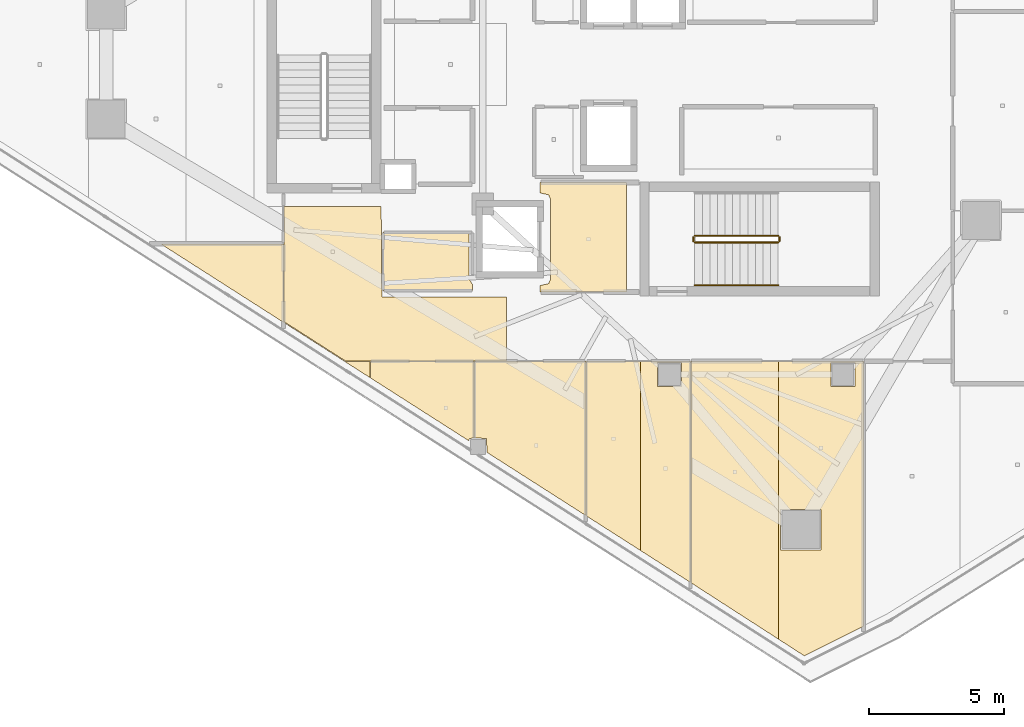
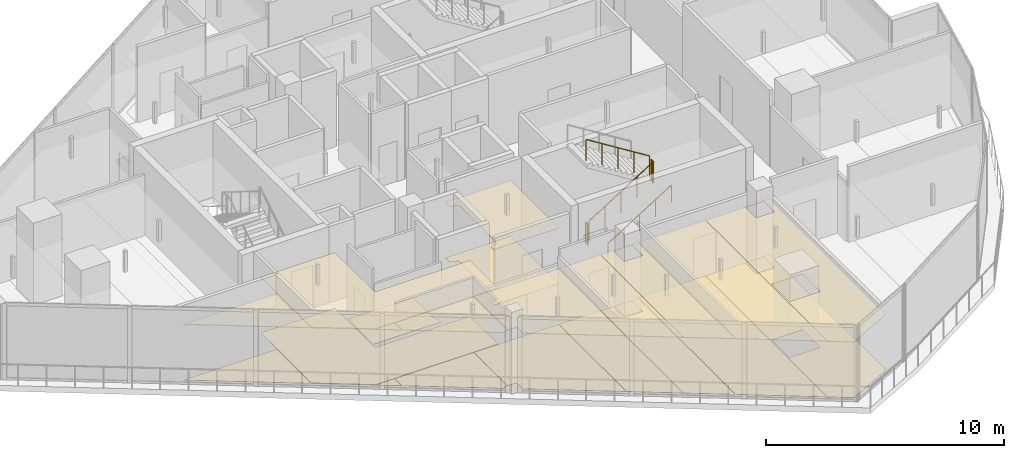
# One storey, part 21 of 25: 19 coverings, 5 railings.
"""IFC4 building model written with IfcOpenShell, lengths in metres."""

from ifc_helpers import new_model, si_unit, direction, frame, origin, origin_2d, place, context, subcontext, project, spatial, polyline, circle, outline, extrude, material, layer, layer_set, type_object, element, save


model = new_model("IFC4")

# Units and contexts
model_context = context("Model", 3, precision=1e-05, world=origin(), true_north=direction((0.0, 1.0)))
body_context = subcontext(model_context, "Body", "Model", "MODEL_VIEW")
ifc_project = project(units=[si_unit("LENGTHUNIT", "METRE"), si_unit("AREAUNIT", "SQUARE_METRE"), si_unit("VOLUMEUNIT", "CUBIC_METRE"), si_unit("PLANEANGLEUNIT", "RADIAN"), si_unit("MASSUNIT", "GRAM", prefix="KILO")], contexts=[model_context])

# Site, building, storey
site_placement = place(None, origin())
site = spatial("IfcSite", under=ifc_project, at=site_placement, CompositionType="ELEMENT")
building_placement = place(site_placement, origin())
building = spatial("IfcBuilding", under=site, at=building_placement, Name="Qorvath Tower", CompositionType="ELEMENT")
storey_placement = place(building_placement, frame((0.0, 0.0, 306.0)))
storey = spatial("IfcBuildingStorey", under=building, at=storey_placement, Name="L71", CompositionType="ELEMENT", Elevation=306.0)

# Coverings
ifc_material_1 = material(Name="Acoustic mineral fibre ceiling tile", Category="gypsum")
ifc_layer_1 = layer(ifc_material_1, 0.030029296875)
ifc_layer_set_1 = layer_set([ifc_layer_1], Name="COV-CEIL")
covering_type_1 = type_object("IfcCoveringType", Name="COV-CEIL", PredefinedType="CEILING", material=ifc_layer_set_1)
covering_1_placement = place(storey_placement, frame((0.0, 0.0, 2.85009765625)))
element("IfcCovering", 1, at=covering_1_placement, inside=storey, type_object=covering_type_1, Name="L71 Suspended Acoustic Ceiling 002", PredefinedType="CEILING", context=body_context, shape_type="SweptSolid", body=[
    extrude(outline(polyline([(-25.18994140625, -8.39501953125), (-25.18994140625, -4.35498046875), (-28.375, -4.35498046875), (-28.375, -4.739990234375), (-28.063232421875, -4.813232421875), (-27.989990234375, -4.989990234375), (-27.989990234375, -7.909912109375), (-28.063232421875, -8.086669921875), (-28.375, -8.159912109375), (-28.375, -8.39501953125), (-25.18994140625, -8.39501953125)])), origin(), (0.0, 0.0, 1.0), 0.030029296875),
])
covering_2_placement = place(storey_placement, frame((0.0, 0.0, 2.85009765625)))
element("IfcCovering", 2, at=covering_2_placement, inside=storey, type_object=covering_type_1, Name="L71 Suspended Acoustic Ceiling 011", PredefinedType="CEILING", context=body_context, shape_type="SweptSolid", body=[
    extrude(outline(polyline([(-34.22509765625, -8.580078125), (-34.251220703125, -5.239990234375), (-37.844970703125, -5.239990234375), (-37.844970703125, -9.4912109375), (-35.5703125, -10.945068359375), (-29.614990234375, -10.945068359375), (-29.614990234375, -8.5771484375), (-34.22509765625, -8.580078125)])), origin(), (0.0, 0.0, 1.0), 0.030029296875),
])
covering_3_placement = place(storey_placement, frame((0.0, 0.0, 2.85009765625)))
element("IfcCovering", 3, at=covering_3_placement, inside=storey, type_object=covering_type_1, Name="L71 Suspended Acoustic Ceiling 022", PredefinedType="CEILING", context=body_context, shape_type="SweptSolid", body=[
    extrude(outline(polyline([(-34.64501953125, -11.572021484375), (-31.01220703125, -13.893798828125), (-30.99462890625, -13.806884765625), (-30.81396484375, -13.789306640625), (-30.81396484375, -10.962890625), (-34.64501953125, -10.962890625), (-34.64501953125, -11.572021484375)])), origin(), (0.0, 0.0, 1.0), 0.030029296875),
])
covering_4_placement = place(storey_placement, frame((0.0, 0.0, 2.85009765625)))
element("IfcCovering", 4, at=covering_4_placement, inside=storey, type_object=covering_type_1, Name="L71 Suspended Acoustic Ceiling 023", PredefinedType="CEILING", context=body_context, shape_type="SweptSolid", body=[
    extrude(outline(polyline([(-30.7958984375, -10.962890625), (-30.7958984375, -13.789306640625), (-30.35986328125, -13.806884765625), (-30.34228515625, -14.322021484375), (-26.693359375, -16.654296875), (-26.693359375, -10.962890625), (-30.7958984375, -10.962890625)])), origin(), (0.0, 0.0, 1.0), 0.030029296875),
])
covering_5_placement = place(storey_placement, frame((0.0, 0.0, 2.85009765625)))
element("IfcCovering", 5, at=covering_5_placement, inside=storey, type_object=covering_type_1, Name="L71 Suspended Acoustic Ceiling 024", PredefinedType="CEILING", context=body_context, shape_type="SweptSolid", body=[
    extrude(outline(polyline([(-26.67529296875, -10.962890625), (-26.67529296875, -16.665771484375), (-24.670654296875, -17.947021484375), (-24.670654296875, -10.962890625), (-26.67529296875, -10.962890625)])), origin(), (0.0, 0.0, 1.0), 0.030029296875),
])
covering_6_placement = place(storey_placement, frame((0.0, 0.0, 2.85009765625)))
element("IfcCovering", 6, at=covering_6_placement, inside=storey, type_object=covering_type_1, Name="L71 Suspended Acoustic Ceiling 025", PredefinedType="CEILING", context=body_context, shape_type="SweptSolid", body=[
    extrude(outline(polyline([(-24.670654296875, -10.962890625), (-24.670654296875, -17.947021484375), (-22.830322265625, -19.123046875), (-22.830322265625, -10.962890625), (-24.670654296875, -10.962890625)]), holes=[polyline([(-24.04248046875, -11.892333984375), (-24.04248046875, -11.007568359375), (-23.157470703125, -11.007568359375), (-23.157470703125, -11.892333984375), (-24.04248046875, -11.892333984375)])]), origin(), (0.0, 0.0, 1.0), 0.030029296875),
])
covering_7_placement = place(storey_placement, frame((0.0, 0.0, 2.85009765625)))
element("IfcCovering", 7, at=covering_7_placement, inside=storey, type_object=covering_type_1, Name="L71 Suspended Acoustic Ceiling 026", PredefinedType="CEILING", context=body_context, shape_type="SweptSolid", body=[
    extrude(outline(polyline([(-22.812255859375, -19.134765625), (-19.569091796875, -21.225830078125), (-19.569091796875, -10.962890625), (-22.812255859375, -10.962890625), (-22.812255859375, -19.134765625)])), origin(), (0.0, 0.0, 1.0), 0.030029296875),
])
covering_8_placement = place(storey_placement, frame((0.0, 0.0, 2.85009765625)))
element("IfcCovering", 8, at=covering_8_placement, inside=storey, type_object=covering_type_1, Name="L71 Suspended Acoustic Ceiling 027", PredefinedType="CEILING", context=body_context, shape_type="SweptSolid", body=[
    extrude(outline(polyline([(-19.569091796875, -10.962890625), (-19.569091796875, -21.225830078125), (-18.625244140625, -21.83447265625), (-16.43896484375, -20.74365234375), (-16.438720703125, -10.962890625), (-19.569091796875, -10.962890625)]), holes=[polyline([(-17.642333984375, -11.892333984375), (-17.642333984375, -11.007568359375), (-16.757568359375, -11.007568359375), (-16.757568359375, -11.892333984375), (-17.642333984375, -11.892333984375)]), polyline([(-19.492919921875, -17.91796875), (-19.492919921875, -16.43310546875), (-18.008056640625, -16.43310546875), (-18.008056640625, -17.91796875), (-19.492919921875, -17.91796875)])]), origin(), (0.0, 0.0, 1.0), 0.030029296875),
])
covering_9_placement = place(storey_placement, frame((0.0, 0.0, 2.85009765625)))
element("IfcCovering", 9, at=covering_9_placement, inside=storey, type_object=covering_type_1, Name="L71 Suspended Acoustic Ceiling 036", PredefinedType="CEILING", context=body_context, shape_type="SweptSolid", body=[
    extrude(outline(polyline([(-37.863037109375, -6.616943359375), (-42.39794921875, -6.616943359375), (-34.6630859375, -11.560546875), (-34.6630859375, -10.962890625), (-35.576904296875, -10.962158203125), (-37.863037109375, -9.498291015625), (-37.863037109375, -6.616943359375)])), origin(), (0.0, 0.0, 1.0), 0.030029296875),
])
ifc_material_2 = material(Name="Low-VOC modular carpet tile", Category="textile")
ifc_layer_2 = layer(ifc_material_2, 0.014892578125)
ifc_layer_set_2 = layer_set([ifc_layer_2], Name="COV-FLOOR-CPT")
covering_type_2 = type_object("IfcCoveringType", Name="COV-FLOOR-CPT", PredefinedType="FLOORING", material=ifc_layer_set_2)
covering_10_placement = place(storey_placement, origin())
element("IfcCovering", 10, at=covering_10_placement, inside=storey, type_object=covering_type_2, Name="L71 Floor Finish 022", PredefinedType="FLOORING", context=body_context, shape_type="SweptSolid", body=[
    extrude(outline(polyline([(-34.64501953125, -11.572021484375), (-31.01220703125, -13.893798828125), (-30.99462890625, -13.806884765625), (-30.81396484375, -13.789306640625), (-30.81396484375, -10.962890625), (-34.64501953125, -10.962890625), (-34.64501953125, -11.572021484375)])), origin(), (0.0, 0.0, 1.0), 0.014892578125),
])
covering_11_placement = place(storey_placement, origin())
element("IfcCovering", 11, at=covering_11_placement, inside=storey, type_object=covering_type_2, Name="L71 Floor Finish 023", PredefinedType="FLOORING", context=body_context, shape_type="SweptSolid", body=[
    extrude(outline(polyline([(-30.7958984375, -10.962890625), (-30.7958984375, -13.789306640625), (-30.35986328125, -13.806884765625), (-30.34228515625, -14.322021484375), (-26.693359375, -16.654296875), (-26.693359375, -10.962890625), (-30.7958984375, -10.962890625)])), origin(), (0.0, 0.0, 1.0), 0.014892578125),
])
covering_12_placement = place(storey_placement, origin())
element("IfcCovering", 12, at=covering_12_placement, inside=storey, type_object=covering_type_2, Name="L71 Floor Finish 024", PredefinedType="FLOORING", context=body_context, shape_type="SweptSolid", body=[
    extrude(outline(polyline([(-26.67529296875, -10.962890625), (-26.67529296875, -16.665771484375), (-24.670654296875, -17.947021484375), (-24.670654296875, -10.962890625), (-26.67529296875, -10.962890625)])), origin(), (0.0, 0.0, 1.0), 0.014892578125),
])
covering_13_placement = place(storey_placement, origin())
element("IfcCovering", 13, at=covering_13_placement, inside=storey, type_object=covering_type_2, Name="L71 Floor Finish 025", PredefinedType="FLOORING", context=body_context, shape_type="SweptSolid", body=[
    extrude(outline(polyline([(-24.670654296875, -10.962890625), (-24.670654296875, -17.947021484375), (-22.830322265625, -19.123046875), (-22.830322265625, -10.962890625), (-24.670654296875, -10.962890625)]), holes=[polyline([(-24.04248046875, -11.892333984375), (-24.04248046875, -11.007568359375), (-23.157470703125, -11.007568359375), (-23.157470703125, -11.892333984375), (-24.04248046875, -11.892333984375)])]), origin(), (0.0, 0.0, 1.0), 0.014892578125),
])
covering_14_placement = place(storey_placement, origin())
element("IfcCovering", 14, at=covering_14_placement, inside=storey, type_object=covering_type_2, Name="L71 Floor Finish 026", PredefinedType="FLOORING", context=body_context, shape_type="SweptSolid", body=[
    extrude(outline(polyline([(-22.812255859375, -19.134765625), (-19.569091796875, -21.225830078125), (-19.569091796875, -10.962890625), (-22.812255859375, -10.962890625), (-22.812255859375, -19.134765625)])), origin(), (0.0, 0.0, 1.0), 0.014892578125),
])
covering_15_placement = place(storey_placement, origin())
element("IfcCovering", 15, at=covering_15_placement, inside=storey, type_object=covering_type_2, Name="L71 Floor Finish 027", PredefinedType="FLOORING", context=body_context, shape_type="SweptSolid", body=[
    extrude(outline(polyline([(-19.569091796875, -10.962890625), (-19.569091796875, -21.225830078125), (-18.625244140625, -21.83447265625), (-16.43896484375, -20.74365234375), (-16.438720703125, -10.962890625), (-19.569091796875, -10.962890625)]), holes=[polyline([(-17.642333984375, -11.892333984375), (-17.642333984375, -11.007568359375), (-16.757568359375, -11.007568359375), (-16.757568359375, -11.892333984375), (-17.642333984375, -11.892333984375)]), polyline([(-19.492919921875, -17.91796875), (-19.492919921875, -16.43310546875), (-18.008056640625, -16.43310546875), (-18.008056640625, -17.91796875), (-19.492919921875, -17.91796875)])]), origin(), (0.0, 0.0, 1.0), 0.014892578125),
])
covering_16_placement = place(storey_placement, origin())
element("IfcCovering", 16, at=covering_16_placement, inside=storey, type_object=covering_type_2, Name="L71 Floor Finish 036", PredefinedType="FLOORING", context=body_context, shape_type="SweptSolid", body=[
    extrude(outline(polyline([(-37.863037109375, -6.616943359375), (-42.39794921875, -6.616943359375), (-34.6630859375, -11.560546875), (-34.6630859375, -10.962890625), (-35.576904296875, -10.962158203125), (-37.863037109375, -9.498291015625), (-37.863037109375, -6.616943359375)])), origin(), (0.0, 0.0, 1.0), 0.014892578125),
])
ifc_material_3 = material(Name="Polished epoxy terrazzo flooring", Category="concrete")
ifc_layer_3 = layer(ifc_material_3, 0.02001953125)
ifc_layer_set_3 = layer_set([ifc_layer_3], Name="COV-FLOOR-TRZ")
covering_type_3 = type_object("IfcCoveringType", Name="COV-FLOOR-TRZ", PredefinedType="FLOORING", material=ifc_layer_set_3)
covering_17_placement = place(storey_placement, origin())
element("IfcCovering", 17, at=covering_17_placement, inside=storey, type_object=covering_type_3, Name="L71 Floor Finish 002", PredefinedType="FLOORING", context=body_context, shape_type="SweptSolid", body=[
    extrude(outline(polyline([(-25.18994140625, -8.39501953125), (-25.18994140625, -4.35498046875), (-28.375, -4.35498046875), (-28.375, -4.739990234375), (-28.063232421875, -4.813232421875), (-27.989990234375, -4.989990234375), (-27.989990234375, -7.909912109375), (-28.063232421875, -8.086669921875), (-28.375, -8.159912109375), (-28.375, -8.39501953125), (-25.18994140625, -8.39501953125)])), origin(), (0.0, 0.0, 1.0), 0.014892578125),
])
covering_18_placement = place(storey_placement, origin())
element("IfcCovering", 18, at=covering_18_placement, inside=storey, type_object=covering_type_3, Name="L71 Floor Finish 009", PredefinedType="FLOORING", context=body_context, shape_type="SweptSolid", body=[
    extrude(outline(polyline([(-30.885009765625, -8.344970703125), (-30.885009765625, -8.108154296875), (-31.010009765625, -7.909912109375), (-31.010009765625, -6.205078125), (-34.175048828125, -6.205078125), (-34.175048828125, -8.344970703125), (-30.885009765625, -8.344970703125)])), origin(), (0.0, 0.0, 1.0), 0.014892578125),
])
covering_19_placement = place(storey_placement, origin())
element("IfcCovering", 19, at=covering_19_placement, inside=storey, type_object=covering_type_3, Name="L71 Floor Finish 011", PredefinedType="FLOORING", context=body_context, shape_type="SweptSolid", body=[
    extrude(outline(polyline([(-34.22509765625, -8.580078125), (-34.251220703125, -5.239990234375), (-37.844970703125, -5.239990234375), (-37.844970703125, -9.4912109375), (-35.5703125, -10.945068359375), (-29.614990234375, -10.945068359375), (-29.614990234375, -8.5771484375), (-34.22509765625, -8.580078125)])), origin(), (0.0, 0.0, 1.0), 0.014892578125),
])

# Railings
ifc_material_4 = material(Name="Painted galvanised steel", Category="steel")
railing_type_1 = type_object("IfcRailingType", Name="RL-STR-GRD", PredefinedType="GUARDRAIL", material=ifc_material_4)
railing_1_placement = place(storey_placement, frame((-22.669921875, -6.570068359375, 0.175048828125)))
element("IfcRailing", 20, at=railing_1_placement, inside=storey, type_object=railing_type_1, Name="L71 TS2 stair guard 1", PredefinedType="GUARDRAIL", context=body_context, shape_type="SweptSolid", body=[
    extrude(circle(Radius=0.02392578125, at=origin_2d()), frame((0.0, 0.0, 1.076171875), z_axis=(0.847979421464, 0.0, 0.530029150871), x_axis=(0.0, 1.0, 0.0)), (0.0, 0.0, 1.0), 3.632080078125),
    extrude(circle(Radius=0.02099609375, at=origin_2d()), origin(), (0.0, 0.0, 1.0), 1.052001953125),
    extrude(circle(Radius=0.02099609375, at=origin_2d()), frame((0.77001953125, 0.0, 0.481201171875)), (0.0, 0.0, 1.0), 1.052001953125),
    extrude(circle(Radius=0.02099609375, at=origin_2d()), frame((1.5400390625, 0.0, 0.96240234375)), (0.0, 0.0, 1.0), 1.052001953125),
    extrude(circle(Radius=0.02099609375, at=origin_2d()), frame((2.309814453125, 0.0, 1.44384765625)), (0.0, 0.0, 1.0), 1.052001953125),
    extrude(circle(Radius=0.02099609375, at=origin_2d()), frame((3.079833984375, 0.0, 1.925048828125)), (0.0, 0.0, 1.0), 1.052001953125),
])
railing_2_placement = place(storey_placement, frame((-19.5400390625, -6.52001953125, 2.10009765625)))
element("IfcRailing", 21, at=railing_2_placement, inside=storey, type_object=railing_type_1, Name="L71 TS2 stair guard 2", PredefinedType="GUARDRAIL", context=body_context, shape_type="SweptSolid", body=[
    extrude(circle(Radius=0.02392578125, at=origin_2d()), frame((0.0, 0.0, 1.076171875), z_axis=(0.0, 1.0, 0.0), x_axis=(-1.0, 0.0, 0.0)), (0.0, 0.0, 1.0), 0.14990234375),
    extrude(circle(Radius=0.02099609375, at=origin_2d()), origin(), (0.0, 0.0, 1.0), 1.052001953125),
    extrude(circle(Radius=0.02099609375, at=origin_2d()), frame((0.0, 0.14990234375, 0.0)), (0.0, 0.0, 1.0), 1.052001953125),
])
railing_3_placement = place(storey_placement, frame((-19.590087890625, -6.320068359375, 2.27490234375)))
element("IfcRailing", 22, at=railing_3_placement, inside=storey, type_object=railing_type_1, Name="L71 TS2 stair guard 3", PredefinedType="GUARDRAIL", context=body_context, shape_type="SweptSolid", body=[
    extrude(circle(Radius=0.02392578125, at=origin_2d()), frame((0.0, 0.0, 1.076171875), z_axis=(-0.847979421464, 0.0, 0.530029150871), x_axis=(0.0, -1.0, 0.0)), (0.0, 0.0, 1.0), 3.632080078125),
    extrude(circle(Radius=0.02099609375, at=origin_2d()), origin(), (0.0, 0.0, 1.0), 1.052001953125),
    extrude(circle(Radius=0.02099609375, at=origin_2d()), frame((-0.77001953125, 0.0, 0.481201171875)), (0.0, 0.0, 1.0), 1.052001953125),
    extrude(circle(Radius=0.02099609375, at=origin_2d()), frame((-1.5400390625, 0.0, 0.96240234375)), (0.0, 0.0, 1.0), 1.052001953125),
    extrude(circle(Radius=0.02099609375, at=origin_2d()), frame((-2.309814453125, 0.0, 1.44384765625)), (0.0, 0.0, 1.0), 1.052001953125),
    extrude(circle(Radius=0.02099609375, at=origin_2d()), frame((-3.079833984375, 0.0, 1.925048828125)), (0.0, 0.0, 1.0), 1.052001953125),
])
railing_4_placement = place(storey_placement, frame((-22.719970703125, -6.52001953125, 0.0)))
element("IfcRailing", 23, at=railing_4_placement, inside=storey, type_object=railing_type_1, Name="L71 TS2 stair guard 4", PredefinedType="GUARDRAIL", context=body_context, shape_type="SweptSolid", body=[
    extrude(circle(Radius=0.02392578125, at=origin_2d()), frame((0.0, 0.0, 1.076171875), z_axis=(0.0, 1.0, 0.0), x_axis=(-1.0, 0.0, 0.0)), (0.0, 0.0, 1.0), 0.14990234375),
    extrude(circle(Radius=0.02099609375, at=origin_2d()), origin(), (0.0, 0.0, 1.0), 1.052001953125),
    extrude(circle(Radius=0.02099609375, at=origin_2d()), frame((0.0, 0.14990234375, 0.0)), (0.0, 0.0, 1.0), 1.052001953125),
])
ifc_material_5 = material(Name="Brushed stainless steel AISI 304", Category="steel")
railing_type_2 = type_object("IfcRailingType", Name="RL-STR-HND", PredefinedType="HANDRAIL", material=ifc_material_5)
railing_5_placement = place(storey_placement, frame((-22.669921875, -8.14990234375, 0.175048828125)))
element("IfcRailing", 24, at=railing_5_placement, inside=storey, type_object=railing_type_2, Name="L71 TS2 stair handrail 1", PredefinedType="HANDRAIL", context=body_context, shape_type="SweptSolid", body=[
    extrude(circle(Radius=0.02392578125, at=origin_2d()), frame((0.0, 0.0, 0.8759765625), z_axis=(0.847979421464, 0.0, 0.530029150871), x_axis=(0.0, 1.0, 0.0)), (0.0, 0.0, 1.0), 3.632080078125),
    extrude(circle(Radius=0.02099609375, at=origin_2d()), origin(), (0.0, 0.0, 1.0), 0.851806640625),
    extrude(circle(Radius=0.02099609375, at=origin_2d()), frame((0.77001953125, 0.0, 0.481201171875)), (0.0, 0.0, 1.0), 0.851806640625),
    extrude(circle(Radius=0.02099609375, at=origin_2d()), frame((1.5400390625, 0.0, 0.96240234375)), (0.0, 0.0, 1.0), 0.851806640625),
    extrude(circle(Radius=0.02099609375, at=origin_2d()), frame((2.309814453125, 0.0, 1.44384765625)), (0.0, 0.0, 1.0), 0.851806640625),
    extrude(circle(Radius=0.02099609375, at=origin_2d()), frame((3.079833984375, 0.0, 1.925048828125)), (0.0, 0.0, 1.0), 0.851806640625),
])

save(model, "model.ifc")
